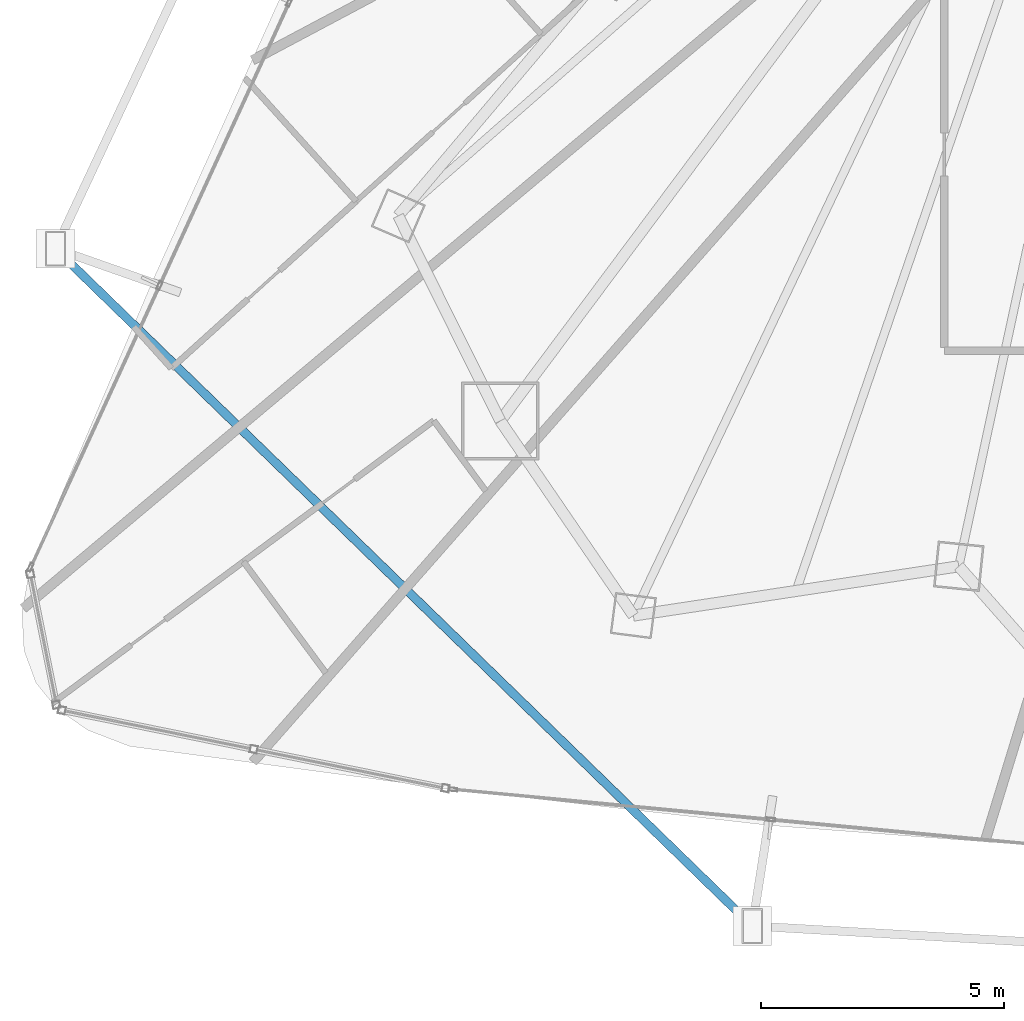
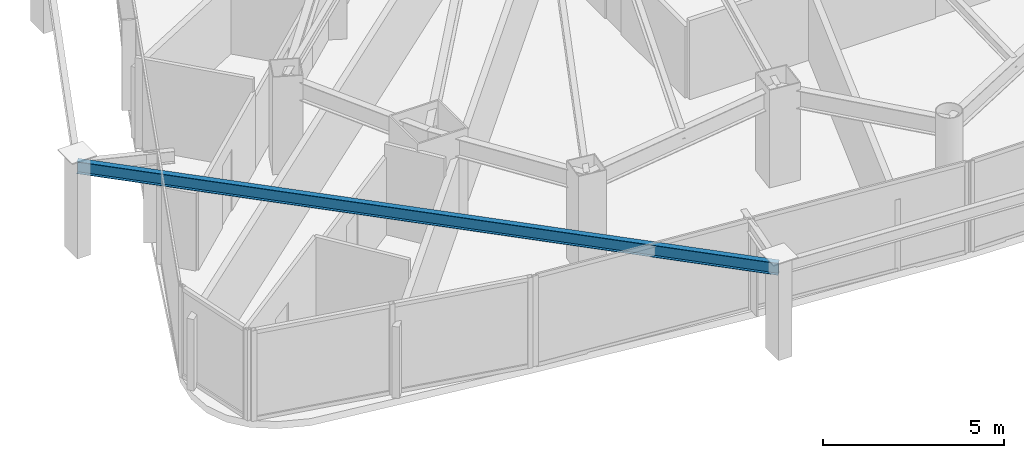
# One storey, part 3 of 38: 1 beam.
"""IFC4 building model written with IfcOpenShell, lengths in metres."""

from ifc_helpers import new_model, si_unit, direction, frame, origin, origin_2d, place, context, subcontext, project, spatial, i_section, extrude, material, material_profile, profile_set, type_object, element, save


model = new_model("IFC4")

# Units and contexts
model_context = context("Model", 3, precision=1e-05, world=origin(), true_north=direction((0.0, 1.0)))
body_context = subcontext(model_context, "Body", "Model", "MODEL_VIEW")
ifc_project = project(units=[si_unit("LENGTHUNIT", "METRE"), si_unit("AREAUNIT", "SQUARE_METRE"), si_unit("VOLUMEUNIT", "CUBIC_METRE"), si_unit("PLANEANGLEUNIT", "RADIAN"), si_unit("MASSUNIT", "GRAM", prefix="KILO")], contexts=[model_context])

# Site, building, storey
site_placement = place(None, origin())
site = spatial("IfcSite", under=ifc_project, at=site_placement, CompositionType="ELEMENT")
building_placement = place(site_placement, origin())
building = spatial("IfcBuilding", under=site, at=building_placement, Name="Orvanel Arch Residences", CompositionType="ELEMENT")
storey_placement = place(building_placement, frame((0.0, 0.0, 50.0)))
storey = spatial("IfcBuildingStorey", under=building, at=storey_placement, Name="L13", CompositionType="ELEMENT", Elevation=50.0)

# Beam
ifc_material = material(Name="Structural steel AS/NZS 3679.1 Grade 300 (300 MPa)", Category="steel")
ifc_material_profile = material_profile(ifc_material, i_section(OverallWidth=0.177978515625, OverallDepth=0.406005859375, WebThickness=0.0078125, FlangeThickness=0.0126953125, at=origin_2d()), Name="410UB59.7")
ifc_profile_set = profile_set([ifc_material_profile], Name="Structural steel AS/NZS 3679.1 Grade 300 (300 MPa)")
beam_type = type_object("IfcBeamType", Name="OB-410UB-EXT", PredefinedType="SPANDREL", material=ifc_profile_set)
beam_placement = place(storey_placement, frame((5.029052734375, 13.90087890625, 2.85693359375), z_axis=(0.71709660899, -0.696973782416, 0.0), x_axis=(0.696973782416, 0.71709660899, 0.0)))
element("IfcBeam", 1, at=beam_placement, inside=storey, type_object=beam_type, Name="L13 Outer Perimeter Floor Ring Beam 04", PredefinedType="SPANDREL", context=body_context, shape_type="SweptSolid", body=[
    extrude(i_section(OverallWidth=0.177978515625, OverallDepth=0.406005859375, WebThickness=0.0078125, FlangeThickness=0.0126953125, at=origin_2d()), origin(), (0.0, 0.0, 1.0), 20.03076171875),
])

save(model, "model.ifc")
